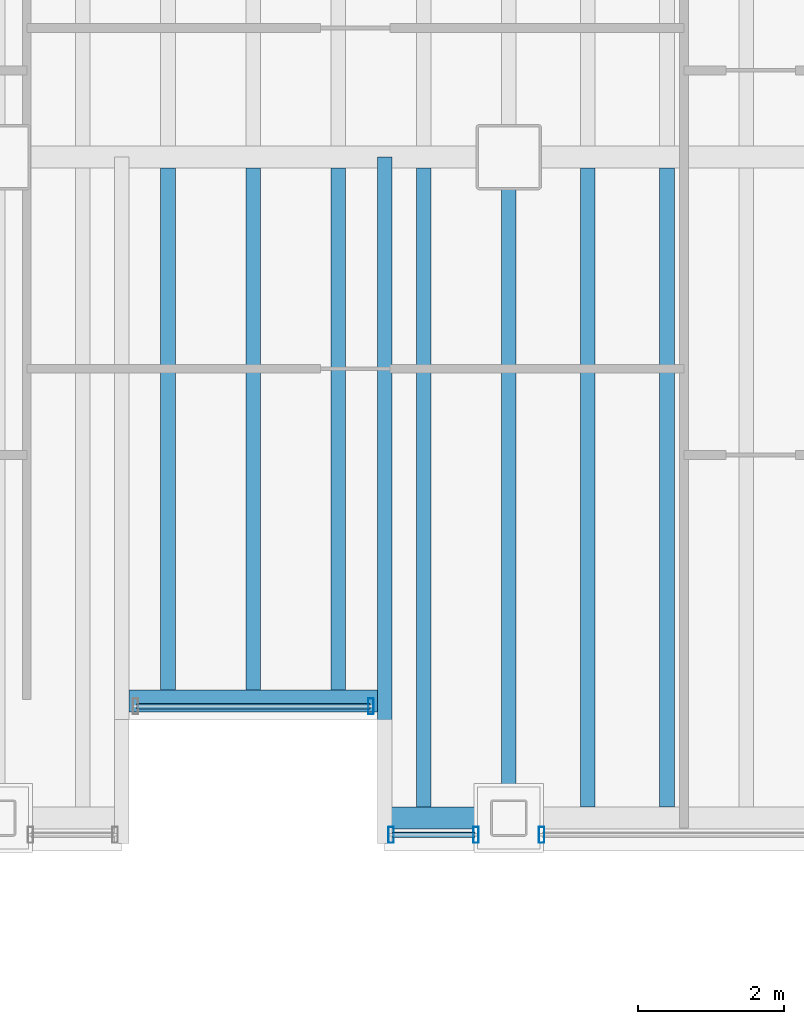
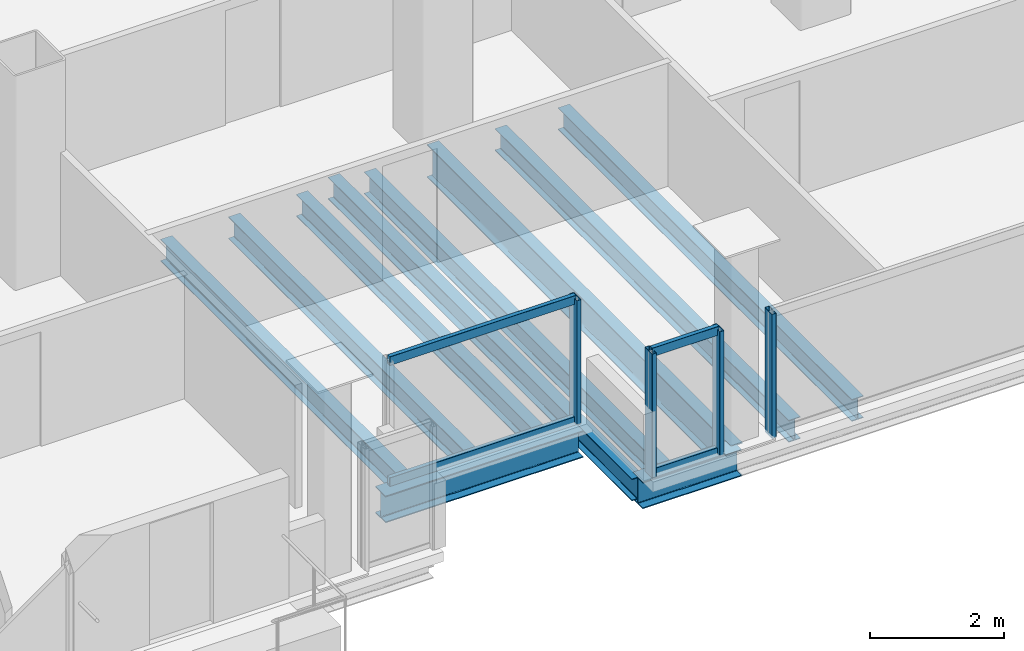
# One storey, part 6 of 22: 10 beams, 8 members, 3 elements without a shape of their own.
"""IFC4 building model written with IfcOpenShell, lengths in metres."""

from ifc_helpers import new_model, si_unit, direction, frame, origin, origin_2d, place, context, subcontext, project, spatial, hollow_rectangle, i_section, extrude, material, material_profile, profile_set, type_object, element, aggregate, save


model = new_model("IFC4")

# Units and contexts
model_context = context("Model", 3, precision=1e-05, world=origin(), true_north=direction((0.0, 1.0)))
body_context = subcontext(model_context, "Body", "Model", "MODEL_VIEW")
ifc_project = project(units=[si_unit("LENGTHUNIT", "METRE"), si_unit("AREAUNIT", "SQUARE_METRE"), si_unit("VOLUMEUNIT", "CUBIC_METRE"), si_unit("PLANEANGLEUNIT", "RADIAN"), si_unit("MASSUNIT", "GRAM", prefix="KILO")], contexts=[model_context])

# Site, building, storey
site_placement = place(None, origin())
site = spatial("IfcSite", under=ifc_project, at=site_placement, CompositionType="ELEMENT")
building_placement = place(site_placement, origin())
building = spatial("IfcBuilding", under=site, at=building_placement, Name="Noeulbin Bourse Tower", CompositionType="ELEMENT")
storey_placement = place(building_placement, frame((0.0, 0.0, 138.300048828125)))
storey = spatial("IfcBuildingStorey", under=building, at=storey_placement, Name="L34", CompositionType="ELEMENT", Elevation=138.300048828125)

# Beams
ifc_material_1 = material(Name="Steel S355", Category="steel")
ifc_material_profile_1 = material_profile(ifc_material_1, i_section(OverallWidth=0.199951171875, OverallDepth=0.60009765625, WebThickness=0.010986328125, FlangeThickness=0.01708984375, FilletRadius=0.02197265625, at=origin_2d()), Name="H-600x200x11x17", Category="LoadBearing")
ifc_profile_set_1 = profile_set([ifc_material_profile_1], Name="Steel S355")
beam_type_1 = type_object("IfcBeamType", Name="BM-GRD-600", PredefinedType="USERDEFINED", material=ifc_profile_set_1)
beam_1_placement = place(storey_placement, frame((31.0, 10.949951171875, -0.47998046875), z_axis=(0.0, 1.0, 0.0), x_axis=(-1.0, 0.0, 0.0)))
element("IfcBeam", 1, at=beam_1_placement, inside=storey, type_object=beam_type_1, Name="Tower Primary Girder NS L34-3.1", ObjectType="GIRDER", PredefinedType="USERDEFINED", context=body_context, shape_type="SweptSolid", body=[
    extrude(i_section(OverallWidth=0.199951171875, OverallDepth=0.60009765625, WebThickness=0.010986328125, FlangeThickness=0.01708984375, FilletRadius=0.02197265625, at=origin_2d()), origin(), (0.0, 0.0, 1.0), 9.050048828125),
])
ifc_material_profile_2 = material_profile(ifc_material_1, i_section(OverallWidth=0.199951171875, OverallDepth=0.39990234375, WebThickness=0.008056640625, FlangeThickness=0.012939453125, FilletRadius=0.01611328125, at=origin_2d()), Name="H-400x200x8x13", Category="LoadBearing")
ifc_profile_set_2 = profile_set([ifc_material_profile_2], Name="Steel S355")
beam_type_2 = type_object("IfcBeamType", Name="BM-SEC-400", PredefinedType="BEAM", material=ifc_profile_set_2)
beam_2_placement = place(storey_placement, frame((29.300048828125, 10.949951171875, -0.380126953125), z_axis=(0.0, 1.0, 0.0), x_axis=(-1.0, 0.0, 0.0)))
element("IfcBeam", 2, at=beam_2_placement, inside=storey, type_object=beam_type_2, Name="BM-L34-SRT-E", PredefinedType="BEAM", context=body_context, shape_type="SweptSolid", body=[
    extrude(i_section(OverallWidth=0.199951171875, OverallDepth=0.39990234375, WebThickness=0.008056640625, FlangeThickness=0.012939453125, FilletRadius=0.01611328125, at=origin_2d()), origin(), (0.0, 0.0, 1.0), 9.050048828125),
])
for number, where, z_axis, x_axis, name in (
    (3, (26.333251953125, 12.699951171875, -0.380126953125), (0.0, 1.0, 0.0), (-1.0, 0.0, 0.0), "Tower Composite Joist L34-19"),
    (4, (27.5, 12.699951171875, -0.380126953125), (0.0, 1.0, 0.0), (-1.0, 0.0, 0.0), "Tower Composite Joist L34-21"),
    (5, (28.666748046875, 12.699951171875, -0.380126953125), (0.0, 1.0, 0.0), (-1.0, 0.0, 0.0), "Tower Composite Joist L34-23"),
):
    element("IfcBeam", number, at=place(storey_placement, frame(where, z_axis=z_axis, x_axis=x_axis)), inside=storey, type_object=beam_type_2, Name=name, PredefinedType="BEAM", context=body_context, shape_type="SweptSolid", body=[
        extrude(i_section(OverallWidth=0.199951171875, OverallDepth=0.39990234375, WebThickness=0.008056640625, FlangeThickness=0.012939453125, FilletRadius=0.01611328125, at=origin_2d()), origin(), (0.0, 0.0, 1.0), 7.150146484375),
    ])
for number, where, z_axis, x_axis, name in (
    (6, (29.833251953125, 11.10009765625, -0.380126953125), (0.0, 1.0, 0.0), (-1.0, 0.0, 0.0), "Tower Composite Joist L34-25"),
    (7, (32.083251953125, 11.10009765625, -0.380126953125), (0.0, 1.0, 0.0), (-1.0, 0.0, 0.0), "Tower Composite Joist L34-27"),
    (8, (33.166748046875, 11.10009765625, -0.380126953125), (0.0, 1.0, 0.0), (-1.0, 0.0, 0.0), "Tower Composite Joist L34-29"),
):
    element("IfcBeam", number, at=place(storey_placement, frame(where, z_axis=z_axis, x_axis=x_axis)), inside=storey, type_object=beam_type_2, Name=name, PredefinedType="BEAM", context=body_context, shape_type="SweptSolid", body=[
        extrude(i_section(OverallWidth=0.199951171875, OverallDepth=0.39990234375, WebThickness=0.008056640625, FlangeThickness=0.012939453125, FilletRadius=0.01611328125, at=origin_2d()), origin(), (0.0, 0.0, 1.0), 8.75),
    ])
ifc_material_profile_3 = material_profile(ifc_material_1, i_section(OverallWidth=0.300048828125, OverallDepth=0.488037109375, WebThickness=0.010986328125, FlangeThickness=0.01806640625, FilletRadius=0.02197265625, at=origin_2d()), Name="H-488x300x11x18", Category="LoadBearing")
ifc_profile_set_3 = profile_set([ifc_material_profile_3], Name="Steel S355")
beam_type_3 = type_object("IfcBeamType", Name="BM-SPN-488", PredefinedType="SPANDREL", material=ifc_profile_set_3)
beam_3_placement = place(storey_placement, frame((25.800048828125, 12.550048828125, -0.424072265625), z_axis=(1.0, 0.0, 0.0), x_axis=(0.0, 1.0, 0.0)))
element("IfcBeam", 9, at=beam_3_placement, inside=storey, type_object=beam_type_3, Name="South Recess Spandrel L34-2B", PredefinedType="SPANDREL", context=body_context, shape_type="SweptSolid", body=[
    extrude(i_section(OverallWidth=0.300048828125, OverallDepth=0.488037109375, WebThickness=0.010986328125, FlangeThickness=0.01806640625, FilletRadius=0.02197265625, at=origin_2d()), origin(), (0.0, 0.0, 1.0), 3.39990234375),
])
beam_4_placement = place(storey_placement, frame((29.300048828125, 10.949951171875, -0.424072265625), z_axis=(1.0, 0.0, 0.0), x_axis=(0.0, 1.0, 0.0)))
element("IfcBeam", 10, at=beam_4_placement, inside=storey, type_object=beam_type_3, Name="South Spandrel L34-2C", PredefinedType="SPANDREL", context=body_context, shape_type="SweptSolid", body=[
    extrude(i_section(OverallWidth=0.300048828125, OverallDepth=0.488037109375, WebThickness=0.010986328125, FlangeThickness=0.01806640625, FilletRadius=0.02197265625, at=origin_2d()), origin(), (0.0, 0.0, 1.0), 1.699951171875),
])

# Curtain wall, member
ifc_material_2 = material(Name="Dark Tinted Triple Glazing", Category="glass")
curtain_wall_type = type_object("IfcCurtainWallType", Name="CW-SYS-3", PredefinedType="NOTDEFINED", material=ifc_material_2)
curtain_wall_1_placement = place(storey_placement, origin())
curtain_wall_1 = element("IfcCurtainWall", 11, at=curtain_wall_1_placement, inside=storey, type_object=curtain_wall_type, Name="Unitised Curtain Wall CW-L34-SREC", PredefinedType="NOTDEFINED")
ifc_material_3 = material(Name="Anodised Aluminium 6063-T6", Category="aluminium")
ifc_material_profile_4 = material_profile(ifc_material_3, hollow_rectangle(XDim=0.074951171875, YDim=0.219970703125, WallThickness=0.0048828125, InnerFilletRadius=0.00244140625, OuterFilletRadius=0.0048828125, at=origin_2d()), Name="ALU-MULL-75x220x5", Category="LoadBearing")
ifc_profile_set_4 = profile_set([ifc_material_profile_4], Name="Anodised Aluminium 6063-T6")
member_type_1 = type_object("IfcMemberType", Name="CW-SYS-3-MUL", PredefinedType="MULLION", material=ifc_profile_set_4)
member_1_placement = place(storey_placement, frame((29.110107421875, 12.47998046875, -0.02001953125), z_axis=(0.0, 0.0, 1.0), x_axis=(1.0, 0.0, 0.0)))
member_1 = element("IfcMember", 12, at=member_1_placement, type_object=member_type_1, Name="Curtain Wall Mullion CW-L34-SREC-M01", PredefinedType="MULLION", context=body_context, shape_type="SweptSolid", body=[
    extrude(hollow_rectangle(XDim=0.074951171875, YDim=0.219970703125, WallThickness=0.0048828125, InnerFilletRadius=0.00244140625, OuterFilletRadius=0.0048828125, at=origin_2d()), origin(), (0.0, 0.0, 1.0), 2.260009765625),
])

# Curtain wall, members
curtain_wall_2_placement = place(storey_placement, origin())
curtain_wall_2 = element("IfcCurtainWall", 13, at=curtain_wall_2_placement, inside=storey, type_object=curtain_wall_type, Name="Unitised Curtain Wall CW-L34-S3-S1", PredefinedType="NOTDEFINED")
member_2_placement = place(storey_placement, frame((29.389892578125, 10.719970703125, -0.02001953125), z_axis=(0.0, 0.0, 1.0), x_axis=(1.0, 0.0, 0.0)))
member_2 = element("IfcMember", 14, at=member_2_placement, type_object=member_type_1, Name="Curtain Wall Mullion CW-L34-S3-S1-M00", PredefinedType="MULLION", context=body_context, shape_type="SweptSolid", body=[
    extrude(hollow_rectangle(XDim=0.074951171875, YDim=0.219970703125, WallThickness=0.0048828125, InnerFilletRadius=0.00244140625, OuterFilletRadius=0.0048828125, at=origin_2d()), origin(), (0.0, 0.0, 1.0), 2.260009765625),
])
member_3_placement = place(storey_placement, frame((30.550048828125, 10.719970703125, -0.02001953125), z_axis=(0.0, 0.0, 1.0), x_axis=(1.0, 0.0, 0.0)))
member_3 = element("IfcMember", 15, at=member_3_placement, type_object=member_type_1, Name="Curtain Wall Mullion CW-L34-S3-S1-M01", PredefinedType="MULLION", context=body_context, shape_type="SweptSolid", body=[
    extrude(hollow_rectangle(XDim=0.074951171875, YDim=0.219970703125, WallThickness=0.0048828125, InnerFilletRadius=0.00244140625, OuterFilletRadius=0.0048828125, at=origin_2d()), origin(), (0.0, 0.0, 1.0), 2.260009765625),
])

# Curtain wall, member
curtain_wall_3_placement = place(storey_placement, origin())
curtain_wall_3 = element("IfcCurtainWall", 16, at=curtain_wall_3_placement, inside=storey, type_object=curtain_wall_type, Name="Unitised Curtain Wall CW-L34-S3-S2", PredefinedType="NOTDEFINED")
member_4_placement = place(storey_placement, frame((31.449951171875, 10.719970703125, -0.02001953125), z_axis=(0.0, 0.0, 1.0), x_axis=(1.0, 0.0, 0.0)))
member_4 = element("IfcMember", 17, at=member_4_placement, type_object=member_type_1, Name="Curtain Wall Mullion CW-L34-S3-S2-M00", PredefinedType="MULLION", context=body_context, shape_type="SweptSolid", body=[
    extrude(hollow_rectangle(XDim=0.074951171875, YDim=0.219970703125, WallThickness=0.0048828125, InnerFilletRadius=0.00244140625, OuterFilletRadius=0.0048828125, at=origin_2d()), origin(), (0.0, 0.0, 1.0), 2.260009765625),
])
aggregate(curtain_wall_3, [member_4])

# Member
ifc_material_profile_5 = material_profile(ifc_material_3, hollow_rectangle(XDim=0.074951171875, YDim=0.159912109375, WallThickness=0.0048828125, InnerFilletRadius=0.00244140625, OuterFilletRadius=0.0048828125, at=origin_2d()), Name="ALU-TRAN-75x160x5", Category="LoadBearing")
ifc_profile_set_5 = profile_set([ifc_material_profile_5], Name="Anodised Aluminium 6063-T6")
member_type_2 = type_object("IfcMemberType", Name="CW-SYS-3-TRN", PredefinedType="USERDEFINED", material=ifc_profile_set_5)
member_5_placement = place(storey_placement, frame((25.89990234375, 12.47998046875, 0.010009765625), z_axis=(1.0, 0.0, 0.0), x_axis=(0.0, 1.0, 0.0)))
member_5 = element("IfcMember", 18, at=member_5_placement, type_object=member_type_2, Name="Curtain Wall Transom CW-L34-SREC-T00", ObjectType="TRANSOM", PredefinedType="USERDEFINED", context=body_context, shape_type="SweptSolid", body=[
    extrude(hollow_rectangle(XDim=0.074951171875, YDim=0.159912109375, WallThickness=0.0048828125, InnerFilletRadius=0.00244140625, OuterFilletRadius=0.0048828125, at=origin_2d()), origin(), (0.0, 0.0, 1.0), 3.2001953125),
])

member_6_placement = place(storey_placement, frame((25.89990234375, 12.47998046875, 2.2099609375), z_axis=(1.0, 0.0, 0.0), x_axis=(0.0, 1.0, 0.0)))
member_6 = element("IfcMember", 19, at=member_6_placement, type_object=member_type_2, Name="Curtain Wall Transom CW-L34-SREC-T01", ObjectType="TRANSOM", PredefinedType="USERDEFINED", context=body_context, shape_type="SweptSolid", body=[
    extrude(hollow_rectangle(XDim=0.074951171875, YDim=0.159912109375, WallThickness=0.0048828125, InnerFilletRadius=0.00244140625, OuterFilletRadius=0.0048828125, at=origin_2d()), origin(), (0.0, 0.0, 1.0), 3.2001953125),
])

aggregate(curtain_wall_1, [member_1, member_5, member_6])

member_7_placement = place(storey_placement, frame((29.39990234375, 10.719970703125, 0.010009765625), z_axis=(1.0, 0.0, 0.0), x_axis=(0.0, 1.0, 0.0)))
member_7 = element("IfcMember", 20, at=member_7_placement, type_object=member_type_2, Name="Curtain Wall Transom CW-L34-S3-S1-T00", ObjectType="TRANSOM", PredefinedType="USERDEFINED", context=body_context, shape_type="SweptSolid", body=[
    extrude(hollow_rectangle(XDim=0.074951171875, YDim=0.159912109375, WallThickness=0.0048828125, InnerFilletRadius=0.00244140625, OuterFilletRadius=0.0048828125, at=origin_2d()), origin(), (0.0, 0.0, 1.0), 1.14013671875),
])

member_8_placement = place(storey_placement, frame((29.39990234375, 10.719970703125, 2.2099609375), z_axis=(1.0, 0.0, 0.0), x_axis=(0.0, 1.0, 0.0)))
member_8 = element("IfcMember", 21, at=member_8_placement, type_object=member_type_2, Name="Curtain Wall Transom CW-L34-S3-S1-T01", ObjectType="TRANSOM", PredefinedType="USERDEFINED", context=body_context, shape_type="SweptSolid", body=[
    extrude(hollow_rectangle(XDim=0.074951171875, YDim=0.159912109375, WallThickness=0.0048828125, InnerFilletRadius=0.00244140625, OuterFilletRadius=0.0048828125, at=origin_2d()), origin(), (0.0, 0.0, 1.0), 1.14013671875),
])

aggregate(curtain_wall_2, [member_2, member_3, member_7, member_8])

save(model, "model.ifc")
